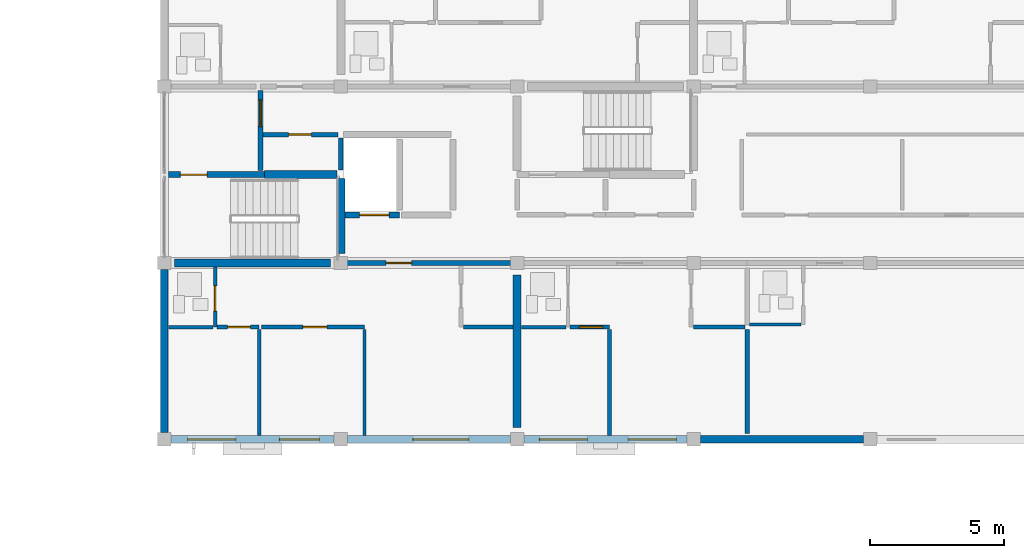
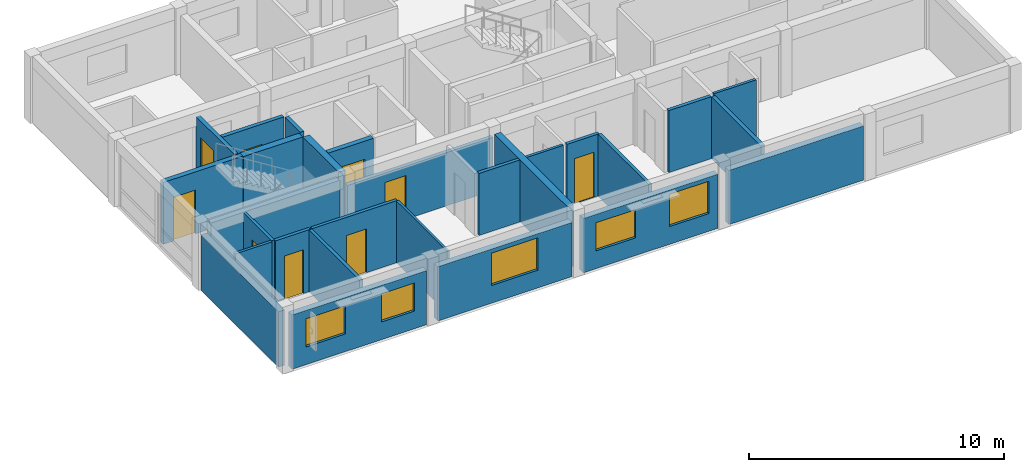
# One storey, part 34 of 49: 28 walls, 9 doors, 5 windows, 14 openings.
"""IFC4 building model written with IfcOpenShell, lengths in metres."""

import ifcopenshell
import ifcopenshell.guid

model = None  # the IFC model being written
_history = None  # IfcOwnerHistory: only IFC2X3 demands one
_inside = {}  # id of a spatial element -> (the spatial element, [elements in it])
_under = {}  # id of a project, library or spatial element -> (it, [spatial elements below it])
_declared = {}  # id of a project -> (the project, [libraries it declares])
_typed = {}  # id of a type object -> (the type object, [elements of that type])
_made_of = {}  # id of a material, layer set ... -> (it, [elements and type objects made of it])


def new_model(schema):
    """Start an empty IFC model of exactly this schema.

    Asked for "IFC4X3", IfcOpenShell would pick the latest addendum, in which some entities
    have other attributes; the version numbers below select the first issue.
    IFC2X3 requires an IfcOwnerHistory on every rooted entity: one is made here for all.
    """
    global model, _history
    if schema == "IFC4X3":
        model = ifcopenshell.file(schema_version=(4, 3, 0, 0))
    else:
        model = ifcopenshell.file(schema=schema)
    _inside.clear()
    _under.clear()
    _declared.clear()
    _typed.clear()
    _made_of.clear()
    _history = None
    if model.schema == "IFC2X3":
        org = make("IfcOrganization", Name="unknown")
        user = make(
            "IfcPersonAndOrganization",
            ThePerson=make("IfcPerson", FamilyName="unknown"),
            TheOrganization=org,
        )
        app = make(
            "IfcApplication",
            ApplicationDeveloper=org,
            Version="unknown",
            ApplicationFullName="unknown",
            ApplicationIdentifier="unknown",
        )
        _history = make(
            "IfcOwnerHistory",
            OwningUser=user,
            OwningApplication=app,
            ChangeAction="ADDED",
            CreationDate=0,
        )
    return model


def make(cls, **values):
    """One entity of the class cls with the attributes given. An attribute that is None is left unset."""
    return model.create_entity(
        cls, **{name: value for name, value in values.items() if value is not None}
    )


def rooted(cls, **values):
    """An entity with a GlobalId (a new one), such as an element, a storey or a relation."""
    return make(cls, GlobalId=ifcopenshell.guid.new(), OwnerHistory=_history, **values)


def si_unit(unit_type, name, prefix=None):
    """IfcSIUnit, for example si_unit("LENGTHUNIT", "METRE", prefix="MILLI")."""
    return make("IfcSIUnit", UnitType=unit_type, Prefix=prefix, Name=name)


def assignment(units):
    """IfcUnitAssignment: the units of a project."""
    return None if units is None else make("IfcUnitAssignment", Units=units)


def point(xyz):
    """IfcCartesianPoint."""
    return None if xyz is None else make("IfcCartesianPoint", Coordinates=xyz)


def direction(xyz):
    """IfcDirection."""
    return None if xyz is None else make("IfcDirection", DirectionRatios=xyz)


def frame(location, z_axis=None, x_axis=None):
    """IfcAxis2Placement3D, a coordinate frame: its origin and axes. An axis left out is left unset."""
    return make(
        "IfcAxis2Placement3D",
        Location=point(location),
        Axis=direction(z_axis),
        RefDirection=direction(x_axis),
    )


def frame_2d(location, x_axis=None):
    """IfcAxis2Placement2D, a coordinate frame in the plane: its origin and x axis."""
    return make(
        "IfcAxis2Placement2D", Location=point(location), RefDirection=direction(x_axis)
    )


def origin():
    """The frame at (0, 0, 0) with its axes left unset."""
    return frame((0.0, 0.0, 0.0))


def place(relative_to, where):
    """IfcLocalPlacement: puts the frame where relative to a parent placement (None: the world)."""
    return make(
        "IfcLocalPlacement", PlacementRelTo=relative_to, RelativePlacement=where
    )


def context(
    kind, dimensions, precision=None, world=None, true_north=None, identifier=None
):
    """IfcGeometricRepresentationContext, for example the 3D "Model" context."""
    return make(
        "IfcGeometricRepresentationContext",
        ContextIdentifier=identifier,
        ContextType=kind,
        CoordinateSpaceDimension=dimensions,
        Precision=precision,
        WorldCoordinateSystem=world,
        TrueNorth=true_north,
    )


def subcontext(parent, identifier, kind, view, scale=None):
    """IfcGeometricRepresentationSubContext, for example "Body" below "Model"."""
    return make(
        "IfcGeometricRepresentationSubContext",
        ContextIdentifier=identifier,
        ContextType=kind,
        ParentContext=parent,
        TargetScale=scale,
        TargetView=view,
    )


def project(units=None, contexts=None):
    """IfcProject with its units and contexts."""
    return rooted(
        "IfcProject",
        Name="project",
        RepresentationContexts=contexts,
        UnitsInContext=assignment(units),
    )


def spatial(cls, under=None, at=None, **own):
    """A site, building, storey or space (cls), placed at a placement, below another one or the project."""
    s = rooted(cls, ObjectPlacement=at, **own)
    if under is not None:
        _under.setdefault(under.id(), (under, []))[1].append(s)
    return s


def profile(cls, at=None, kind="AREA", **sizes):
    """A parametric profile (cls). Its sizes go by their IFC names, for example OverallWidth=200.0."""
    return make(cls, ProfileType=kind, Position=at, **sizes)


def rectangle(**sizes):
    """IfcRectangleProfileDef."""
    return profile("IfcRectangleProfileDef", **sizes)


def extrude(swept, where, along, depth):
    """IfcExtrudedAreaSolid: the profile swept, set in the frame where, extruded along a direction by depth."""
    return make(
        "IfcExtrudedAreaSolid",
        SweptArea=swept,
        Position=where,
        ExtrudedDirection=direction(along),
        Depth=depth,
    )


def shape(context_of_items, identifier, shape_type, items):
    """IfcShapeRepresentation: the items that make up one representation, for example the "Body"."""
    return make(
        "IfcShapeRepresentation",
        ContextOfItems=context_of_items,
        RepresentationIdentifier=identifier,
        RepresentationType=shape_type,
        Items=items,
    )


def material(Name=None, Category=None):
    """IfcMaterial."""
    return make("IfcMaterial", Name=Name, Category=Category)


def layer(
    of_material, thickness, ventilated=None, Name=None, Category=None, Priority=None
):
    """IfcMaterialLayer: one layer of a wall or slab, of a material (None: an air gap)."""
    return make(
        "IfcMaterialLayer",
        Material=of_material,
        LayerThickness=thickness,
        IsVentilated=ventilated,
        Name=Name,
        Category=Category,
        Priority=Priority,
    )


def layer_set(layers, Name=None):
    """IfcMaterialLayerSet."""
    return make("IfcMaterialLayerSet", MaterialLayers=layers, LayerSetName=Name)


def made_of(thing, what):
    """Note that an element or type object is made of a material, layer set ...; save() writes the relation."""
    if what is not None:
        _made_of.setdefault(what.id(), (what, []))[1].append(thing)
    return thing


def type_object(cls, material=None, **own):
    """A type object (cls), such as IfcWallType, which elements share."""
    return made_of(rooted(cls, **own), material)


def element(
    cls,
    number,
    at=None,
    inside=None,
    cuts=None,
    type_object=None,
    material=None,
    context=None,
    identifier="Body",
    shape_type=None,
    held_by="IfcProductDefinitionShape",
    body=None,
    shapes=None,
    **own,
):
    """One element of the class cls, such as IfcWall. Its Tag is "e" and its number.

    at: its placement. inside: the storey or other place that contains it. cuts: it is an
    opening in that element (IfcRelVoidsElement). A single representation is given by context,
    identifier, shape_type and body (its items); several are given by shapes. held_by: the class
    of the entity that holds the representations. save() writes the other relations.
    """
    e = rooted(cls, Tag="e%d" % number, ObjectPlacement=at, **own)
    if body is not None:
        shapes = [shape(context, identifier, shape_type, body)]
    if shapes is not None:
        e.Representation = make(held_by, Representations=shapes)
    if inside is not None:
        _inside.setdefault(inside.id(), (inside, []))[1].append(e)
    if cuts is not None:
        rooted(
            "IfcRelVoidsElement", RelatingBuildingElement=cuts, RelatedOpeningElement=e
        )
    if type_object is not None:
        _typed.setdefault(type_object.id(), (type_object, []))[1].append(e)
    return made_of(e, material)


def fill(opening, filler):
    """IfcRelFillsElement: the door or window that sits in an opening."""
    return rooted(
        "IfcRelFillsElement",
        RelatingOpeningElement=opening,
        RelatedBuildingElement=filler,
    )


def aggregate(whole, parts):
    """IfcRelAggregates: a whole, such as a stair, and the parts it consists of."""
    return rooted("IfcRelAggregates", RelatingObject=whole, RelatedObjects=parts)


def save(model, path):
    """Write the relations noted so far, then the file.

    IfcRelAggregates (storeys below a building ...), IfcRelContainedInSpatialStructure (elements
    in a storey), IfcRelDefinesByType, IfcRelAssociatesMaterial and IfcRelDeclares: one each for
    every whole, place, type object, material and project.
    """
    for whole, parts in _under.values():
        aggregate(whole, parts)
    for where, things in _inside.values():
        rooted(
            "IfcRelContainedInSpatialStructure",
            RelatedElements=things,
            RelatingStructure=where,
        )
    for kind, things in _typed.values():
        rooted("IfcRelDefinesByType", RelatedObjects=things, RelatingType=kind)
    for what, things in _made_of.values():
        rooted("IfcRelAssociatesMaterial", RelatedObjects=things, RelatingMaterial=what)
    for by, libraries in _declared.values():
        rooted("IfcRelDeclares", RelatingContext=by, RelatedDefinitions=libraries)
    model.write(path)


model = new_model("IFC4")

# Units and contexts
model_context = context("Model", 3, precision=1e-05, world=origin(), true_north=direction((0.0, 1.0)))
body_context = subcontext(model_context, "Body", "Model", "MODEL_VIEW")
ifc_project = project(units=[si_unit("LENGTHUNIT", "METRE"), si_unit("AREAUNIT", "SQUARE_METRE"), si_unit("VOLUMEUNIT", "CUBIC_METRE"), si_unit("PLANEANGLEUNIT", "RADIAN"), si_unit("MASSUNIT", "GRAM", prefix="KILO")], contexts=[model_context])

# Site, building, storey
site_placement = place(None, origin())
site = spatial("IfcSite", under=ifc_project, at=site_placement, CompositionType="ELEMENT")
building_placement = place(site_placement, origin())
building = spatial("IfcBuilding", under=site, at=building_placement, Name="Kernevlak Ridge Housing Community", CompositionType="ELEMENT")
storey_placement = place(building_placement, frame((0.0, 0.0, 30.800048828125)))
storey = spatial("IfcBuildingStorey", under=building, at=storey_placement, Name="L09", CompositionType="ELEMENT", Elevation=30.800048828125)

# Wall, openings, windows
ifc_material_1 = material(Name="Concrete block masonry M10", Category="masonry")
ifc_layer_1 = layer(ifc_material_1, 0.280029296875, Name="Concrete block masonry M10")
ifc_layer_set_1 = layer_set([ifc_layer_1], Name="Concrete block masonry M10")
wall_type_1 = type_object("IfcWallType", Name="EW-03", PredefinedType="STANDARD", material=ifc_layer_set_1)
wall_1_placement = place(storey_placement, frame((119.64990234375, 82.60009765625, 0.0), z_axis=(0.0, 0.0, 1.0), x_axis=(1.0, 0.0, 0.0)))
wall_1 = element("IfcWall", 1, at=wall_1_placement, inside=storey, type_object=wall_type_1, Name="Exterior wall EW-03 L09 435", PredefinedType="STANDARD", context=body_context, shape_type="SweptSolid", body=[
    extrude(rectangle(XDim=6.10009765625, YDim=0.280029296875, at=frame_2d((3.050048828125, 0.0))), origin(), (0.0, 0.0, 1.0), 2.599853515625),
])
opening_1_placement = place(wall_1_placement, frame((0.625, 0.0, 0.85009765625)))
opening_1 = element("IfcOpeningElement", 2, at=opening_1_placement, cuts=wall_1, Name="Opening WT-03", PredefinedType="OPENING", context=body_context, shape_type="SweptSolid", body=[
    extrude(rectangle(XDim=1.800048828125, YDim=1.35009765625, at=frame_2d((0.89990234375, 0.675048828125))), frame((0.0, 0.14990234375, 0.0), z_axis=(0.0, -1.0, 0.0), x_axis=(1.0, 0.0, 0.0)), (0.0, 0.0, 1.0), 0.300048828125),
])
opening_2_placement = place(wall_1_placement, frame((4.050048828125, 0.0, 0.85009765625)))
opening_2 = element("IfcOpeningElement", 3, at=opening_2_placement, cuts=wall_1, Name="Opening WT-02", PredefinedType="OPENING", context=body_context, shape_type="SweptSolid", body=[
    extrude(rectangle(XDim=1.5, YDim=1.35009765625, at=frame_2d((0.75, 0.675048828125))), frame((0.0, 0.14990234375, 0.0), z_axis=(0.0, -1.0, 0.0), x_axis=(1.0, 0.0, 0.0)), (0.0, 0.0, 1.0), 0.300048828125),
])
ifc_material_2 = material(Name="Aluminium EN AW-6060 anodised and laminated glass", Category="aluminium")
window_type_1 = type_object("IfcWindowType", Name="WT-02", PartitioningType="SINGLE_PANEL", PredefinedType="WINDOW", material=ifc_material_2)
window_1_placement = place(opening_2_placement, origin())
window_1 = element("IfcWindow", 4, at=window_1_placement, inside=storey, type_object=window_type_1, Name="Window WT-02 L09 336", OverallHeight=1.35009765625, OverallWidth=1.5, PartitioningType="SINGLE_PANEL", PredefinedType="WINDOW", context=body_context, shape_type="SweptSolid", body=[
    extrude(rectangle(XDim=1.5, YDim=1.35009765625, at=frame_2d((0.75, 0.675048828125))), frame((0.0, 0.030029296875, 0.0), z_axis=(0.0, -1.0, 0.0), x_axis=(1.0, 0.0, 0.0)), (0.0, 0.0, 1.0), 0.06005859375),
])
fill(opening_2, window_1)
window_type_2 = type_object("IfcWindowType", Name="WT-03", PartitioningType="SINGLE_PANEL", PredefinedType="WINDOW", material=ifc_material_2)
window_2_placement = place(opening_1_placement, origin())
window_2 = element("IfcWindow", 5, at=window_2_placement, inside=storey, type_object=window_type_2, Name="Window WT-03 L09 335", OverallHeight=1.35009765625, OverallWidth=1.800048828125, PartitioningType="SINGLE_PANEL", PredefinedType="WINDOW", context=body_context, shape_type="SweptSolid", body=[
    extrude(rectangle(XDim=1.800048828125, YDim=1.35009765625, at=frame_2d((0.89990234375, 0.675048828125))), frame((0.0, 0.030029296875, 0.0), z_axis=(0.0, -1.0, 0.0), x_axis=(1.0, 0.0, 0.0)), (0.0, 0.0, 1.0), 0.06005859375),
])
fill(opening_1, window_2)

# Wall, opening, window
wall_2_placement = place(storey_placement, frame((126.25, 82.60009765625, 0.0), z_axis=(0.0, 0.0, 1.0), x_axis=(1.0, 0.0, 0.0)))
wall_2 = element("IfcWall", 6, at=wall_2_placement, inside=storey, type_object=wall_type_1, Name="Exterior wall EW-03 L09 436", PredefinedType="STANDARD", context=body_context, shape_type="SweptSolid", body=[
    extrude(rectangle(XDim=6.10009765625, YDim=0.280029296875, at=frame_2d((3.050048828125, 0.0))), origin(), (0.0, 0.0, 1.0), 2.599853515625),
])
opening_3_placement = place(wall_2_placement, frame((2.446044921875, 0.0, 0.85009765625)))
opening_3 = element("IfcOpeningElement", 7, at=opening_3_placement, cuts=wall_2, Name="Opening WT-05", PredefinedType="OPENING", context=body_context, shape_type="SweptSolid", body=[
    extrude(rectangle(XDim=2.10009765625, YDim=1.550048828125, at=frame_2d((1.050048828125, 0.77490234375))), frame((0.0, 0.14990234375, 0.0), z_axis=(0.0, -1.0, 0.0), x_axis=(1.0, 0.0, 0.0)), (0.0, 0.0, 1.0), 0.300048828125),
])
window_type_3 = type_object("IfcWindowType", Name="WT-05", PartitioningType="SINGLE_PANEL", PredefinedType="WINDOW", material=ifc_material_2)
window_3_placement = place(opening_3_placement, origin())
window_3 = element("IfcWindow", 8, at=window_3_placement, inside=storey, type_object=window_type_3, Name="Window WT-05 L09 337", OverallHeight=1.550048828125, OverallWidth=2.10009765625, PartitioningType="SINGLE_PANEL", PredefinedType="WINDOW", context=body_context, shape_type="SweptSolid", body=[
    extrude(rectangle(XDim=2.10009765625, YDim=1.550048828125, at=frame_2d((1.050048828125, 0.77490234375))), frame((0.0, 0.030029296875, 0.0), z_axis=(0.0, -1.0, 0.0), x_axis=(1.0, 0.0, 0.0)), (0.0, 0.0, 1.0), 0.06005859375),
])
fill(opening_3, window_3)

# Wall, openings, windows
wall_3_placement = place(storey_placement, frame((132.85009765625, 82.60009765625, 0.0), z_axis=(0.0, 0.0, 1.0), x_axis=(1.0, 0.0, 0.0)))
wall_3 = element("IfcWall", 9, at=wall_3_placement, inside=storey, type_object=wall_type_1, Name="Exterior wall EW-03 L09 437", PredefinedType="STANDARD", context=body_context, shape_type="SweptSolid", body=[
    extrude(rectangle(XDim=6.099853515625, YDim=0.280029296875, at=frame_2d((3.0498046875, 0.0))), origin(), (0.0, 0.0, 1.0), 2.599853515625),
])
opening_4_placement = place(wall_3_placement, frame((0.574951171875, 0.0, 0.85009765625)))
opening_4 = element("IfcOpeningElement", 10, at=opening_4_placement, cuts=wall_3, Name="Opening WT-03", PredefinedType="OPENING", context=body_context, shape_type="SweptSolid", body=[
    extrude(rectangle(XDim=1.800048828125, YDim=1.35009765625, at=frame_2d((0.89990234375, 0.675048828125))), frame((0.0, 0.14990234375, 0.0), z_axis=(0.0, -1.0, 0.0), x_axis=(1.0, 0.0, 0.0)), (0.0, 0.0, 1.0), 0.300048828125),
])
opening_5_placement = place(wall_3_placement, frame((3.89990234375, 0.0, 0.85009765625)))
opening_5 = element("IfcOpeningElement", 11, at=opening_5_placement, cuts=wall_3, Name="Opening WT-04", PredefinedType="OPENING", context=body_context, shape_type="SweptSolid", body=[
    extrude(rectangle(XDim=1.800048828125, YDim=1.550048828125, at=frame_2d((0.89990234375, 0.77490234375))), frame((0.0, 0.14990234375, 0.0), z_axis=(0.0, -1.0, 0.0), x_axis=(1.0, 0.0, 0.0)), (0.0, 0.0, 1.0), 0.300048828125),
])
window_4_placement = place(opening_4_placement, origin())
window_4 = element("IfcWindow", 12, at=window_4_placement, inside=storey, type_object=window_type_2, Name="Window WT-03 L09 338", OverallHeight=1.35009765625, OverallWidth=1.800048828125, PartitioningType="SINGLE_PANEL", PredefinedType="WINDOW", context=body_context, shape_type="SweptSolid", body=[
    extrude(rectangle(XDim=1.800048828125, YDim=1.35009765625, at=frame_2d((0.89990234375, 0.675048828125))), frame((0.0, 0.030029296875, 0.0), z_axis=(0.0, -1.0, 0.0), x_axis=(1.0, 0.0, 0.0)), (0.0, 0.0, 1.0), 0.06005859375),
])
fill(opening_4, window_4)
window_type_4 = type_object("IfcWindowType", Name="WT-04", PartitioningType="SINGLE_PANEL", PredefinedType="WINDOW", material=ifc_material_2)
window_5_placement = place(opening_5_placement, origin())
window_5 = element("IfcWindow", 13, at=window_5_placement, inside=storey, type_object=window_type_4, Name="Window WT-04 L09 339", OverallHeight=1.550048828125, OverallWidth=1.800048828125, PartitioningType="SINGLE_PANEL", PredefinedType="WINDOW", context=body_context, shape_type="SweptSolid", body=[
    extrude(rectangle(XDim=1.800048828125, YDim=1.550048828125, at=frame_2d((0.89990234375, 0.77490234375))), frame((0.0, 0.030029296875, 0.0), z_axis=(0.0, -1.0, 0.0), x_axis=(1.0, 0.0, 0.0)), (0.0, 0.0, 1.0), 0.06005859375),
])
fill(opening_5, window_5)

# Walls
wall_4_placement = place(storey_placement, frame((139.449951171875, 82.60009765625, 0.0), z_axis=(0.0, 0.0, 1.0), x_axis=(1.0, 0.0, 0.0)))
element("IfcWall", 14, at=wall_4_placement, inside=storey, type_object=wall_type_1, Name="Exterior wall EW-03 L09 438", PredefinedType="STANDARD", context=body_context, shape_type="SweptSolid", body=[
    extrude(rectangle(XDim=6.10009765625, YDim=0.280029296875, at=frame_2d((3.050048828125, 0.0))), origin(), (0.0, 0.0, 1.0), 2.599853515625),
])
wall_5_placement = place(storey_placement, frame((119.39990234375, 82.85009765625, 0.0), z_axis=(0.0, 0.0, 1.0), x_axis=(0.0, 1.0, 0.0)))
element("IfcWall", 15, at=wall_5_placement, inside=storey, type_object=wall_type_1, Name="Exterior wall EW-03 L09 447", PredefinedType="STANDARD", context=body_context, shape_type="SweptSolid", body=[
    extrude(rectangle(XDim=6.099853515625, YDim=0.280029296875, at=frame_2d((3.0498046875, 0.0))), origin(), (0.0, 0.0, 1.0), 2.64990234375),
])

# Wall, opening, door
ifc_material_3 = material(Name="Concrete C35/45", Category="concrete")
ifc_layer_2 = layer(ifc_material_3, 0.22509765625, Name="Concrete C35/45")
ifc_layer_set_2 = layer_set([ifc_layer_2], Name="Concrete C35/45")
wall_type_2 = type_object("IfcWallType", Name="PW-01", PredefinedType="STANDARD", material=ifc_layer_set_2)
wall_6_placement = place(storey_placement, frame((119.550048828125, 92.5, 0.0), z_axis=(0.0, 0.0, 1.0), x_axis=(1.0, 0.0, 0.0)))
wall_6 = element("IfcWall", 16, at=wall_6_placement, inside=storey, type_object=wall_type_2, Name="Interior wall PW-01 WAL-INT-L09-1702", PredefinedType="STANDARD", context=body_context, shape_type="SweptSolid", body=[
    extrude(rectangle(XDim=3.599853515625, YDim=0.22509765625, at=frame_2d((1.7998046875, 0.0))), origin(), (0.0, 0.0, 1.0), 2.969970703125),
])
opening_6_placement = place(wall_6_placement, frame((0.449951171875, 0.0, 0.0)))
opening_6 = element("IfcOpeningElement", 17, at=opening_6_placement, cuts=wall_6, Name="Opening D863", PredefinedType="OPENING", context=body_context, shape_type="SweptSolid", body=[
    extrude(rectangle(XDim=1.0, YDim=2.10009765625, at=frame_2d((0.5, 1.050048828125))), frame((0.0, 0.12255859375, 0.0), z_axis=(0.0, -1.0, 0.0), x_axis=(1.0, 0.0, 0.0)), (0.0, 0.0, 1.0), 0.2451171875),
])
ifc_material_4 = material(Name="Fire-rated sheet steel leaf", Category="steel")
door_type_1 = type_object("IfcDoorType", Name="DT-05", OperationType="NOTDEFINED", PredefinedType="DOOR", material=ifc_material_4)
door_1_placement = place(opening_6_placement, origin())
door_1 = element("IfcDoor", 18, at=door_1_placement, inside=storey, type_object=door_type_1, Name="Block B Stair 1 fire door D863", OperationType="SINGLE_SWING_LEFT", OverallHeight=2.10009765625, OverallWidth=1.0, PredefinedType="DOOR", context=body_context, shape_type="SweptSolid", body=[
    extrude(rectangle(XDim=1.0, YDim=2.10009765625, at=frame_2d((0.5, 1.050048828125))), frame((0.0, 0.02490234375, 0.0), z_axis=(0.0, -1.0, 0.0), x_axis=(1.0, 0.0, 0.0)), (0.0, 0.0, 1.0), 0.050048828125),
])
fill(opening_6, door_1)

wall_7_placement = place(storey_placement, frame((126.159912109375, 91.0, 0.0), z_axis=(0.0, 0.0, 1.0), x_axis=(1.0, 0.0, 0.0)))
wall_7 = element("IfcWall", 19, at=wall_7_placement, inside=storey, type_object=wall_type_2, Name="Interior wall PW-01 WAL-INT-L09-1706", PredefinedType="STANDARD", context=body_context, shape_type="SweptSolid", body=[
    extrude(rectangle(XDim=2.0400390625, YDim=0.22509765625, at=frame_2d((1.02001953125, 0.0))), origin(), (0.0, 0.0, 1.0), 2.969970703125),
])
opening_7_placement = place(wall_7_placement, frame((0.550048828125, 0.0, 0.0)))
opening_7 = element("IfcOpeningElement", 20, at=opening_7_placement, cuts=wall_7, Name="Opening LD48", PredefinedType="OPENING", context=body_context, shape_type="SweptSolid", body=[
    extrude(rectangle(XDim=1.10009765625, YDim=2.10009765625, at=frame_2d((0.550048828125, 1.050048828125))), frame((0.0, 0.12255859375, 0.0), z_axis=(0.0, -1.0, 0.0), x_axis=(1.0, 0.0, 0.0)), (0.0, 0.0, 1.0), 0.2451171875),
])
ifc_material_5 = material(Name="Stainless steel EN 1.4401", Category="steel")
door_type_2 = type_object("IfcDoorType", Name="DT-LD1", OperationType="DOUBLE_DOOR_SLIDING", PredefinedType="DOOR", material=ifc_material_5)
door_2_placement = place(opening_7_placement, origin())
door_2 = element("IfcDoor", 21, at=door_2_placement, inside=storey, type_object=door_type_2, Name="Lift LF-B1 landing door LD48", OperationType="DOUBLE_DOOR_SLIDING", OverallHeight=2.10009765625, OverallWidth=1.10009765625, PredefinedType="DOOR", context=body_context, shape_type="SweptSolid", body=[
    extrude(rectangle(XDim=1.10009765625, YDim=2.10009765625, at=frame_2d((0.550048828125, 1.050048828125))), frame((0.0, 0.02490234375, 0.0), z_axis=(0.0, -1.0, 0.0), x_axis=(1.0, 0.0, 0.0)), (0.0, 0.0, 1.0), 0.050048828125),
])
fill(opening_7, door_2)

ifc_layer_3 = layer(ifc_material_1, 0.175048828125, Name="Concrete block masonry M10")
ifc_layer_set_3 = layer_set([ifc_layer_3], Name="Concrete block masonry M10")
wall_type_3 = type_object("IfcWallType", Name="PW-02", PredefinedType="PARTITIONING", material=ifc_layer_set_3)
wall_8_placement = place(storey_placement, frame((123.0, 92.64990234375, 0.0), z_axis=(0.0, 0.0, 1.0), x_axis=(0.0, 1.0, 0.0)))
wall_8 = element("IfcWall", 22, at=wall_8_placement, inside=storey, type_object=wall_type_3, Name="Interior wall PW-02 WAL-INT-L09-1703", PredefinedType="PARTITIONING", context=body_context, shape_type="SweptSolid", body=[
    extrude(rectangle(XDim=3.0, YDim=0.175048828125, at=frame_2d((1.5, 0.0))), origin(), (0.0, 0.0, 1.0), 2.969970703125),
])
opening_8_placement = place(wall_8_placement, frame((1.64990234375, 0.0, 0.0)))
opening_8 = element("IfcOpeningElement", 23, at=opening_8_placement, cuts=wall_8, Name="Opening D864", PredefinedType="OPENING", context=body_context, shape_type="SweptSolid", body=[
    extrude(rectangle(XDim=1.0, YDim=2.159912109375, at=frame_2d((0.5, 1.080078125))), frame((0.0, 0.097412109375, 0.0), z_axis=(0.0, -1.0, 0.0), x_axis=(1.0, 0.0, 0.0)), (0.0, 0.0, 1.0), 0.195068359375),
])
door_type_3 = type_object("IfcDoorType", Name="DT-15", OperationType="NOTDEFINED", PredefinedType="DOOR", material=ifc_material_4)
door_3_placement = place(opening_8_placement, origin())
door_3 = element("IfcDoor", 24, at=door_3_placement, inside=storey, type_object=door_type_3, Name="Block B Firefighting lobby 1 door D864", OperationType="SINGLE_SWING_RIGHT", OverallHeight=2.159912109375, OverallWidth=1.0, PredefinedType="DOOR", context=body_context, shape_type="SweptSolid", body=[
    extrude(rectangle(XDim=1.0, YDim=2.159912109375, at=frame_2d((0.5, 1.080078125))), frame((0.0, 0.02490234375, 0.0), z_axis=(0.0, -1.0, 0.0), x_axis=(1.0, 0.0, 0.0)), (0.0, 0.0, 1.0), 0.050048828125),
])
fill(opening_8, door_3)

wall_9_placement = place(storey_placement, frame((123.10009765625, 94.0, 0.0), z_axis=(0.0, 0.0, 1.0), x_axis=(1.0, 0.0, 0.0)))
wall_9 = element("IfcWall", 25, at=wall_9_placement, inside=storey, type_object=wall_type_3, Name="Interior wall PW-02 WAL-INT-L09-1704", PredefinedType="PARTITIONING", context=body_context, shape_type="SweptSolid", body=[
    extrude(rectangle(XDim=2.7998046875, YDim=0.175048828125, at=frame_2d((1.39990234375, 0.0))), origin(), (0.0, 0.0, 1.0), 2.969970703125),
])
opening_9_placement = place(wall_9_placement, frame((0.949951171875, 0.0, 0.0)))
opening_9 = element("IfcOpeningElement", 26, at=opening_9_placement, cuts=wall_9, Name="Opening D865", PredefinedType="OPENING", context=body_context, shape_type="SweptSolid", body=[
    extrude(rectangle(XDim=0.85009765625, YDim=2.0, at=frame_2d((0.425048828125, 1.0))), frame((0.0, 0.097412109375, 0.0), z_axis=(0.0, -1.0, 0.0), x_axis=(1.0, 0.0, 0.0)), (0.0, 0.0, 1.0), 0.195068359375),
])
door_type_4 = type_object("IfcDoorType", Name="DT-07", OperationType="NOTDEFINED", PredefinedType="DOOR", material=ifc_material_4)
door_4_placement = place(opening_9_placement, origin())
door_4 = element("IfcDoor", 27, at=door_4_placement, inside=storey, type_object=door_type_4, Name="Block B Riser shaft door D865", OperationType="SINGLE_SWING_LEFT", OverallHeight=2.0, OverallWidth=0.85009765625, PredefinedType="DOOR", context=body_context, shape_type="SweptSolid", body=[
    extrude(rectangle(XDim=0.85009765625, YDim=2.0, at=frame_2d((0.425048828125, 1.0))), frame((0.0, 0.02490234375, 0.0), z_axis=(0.0, -1.0, 0.0), x_axis=(1.0, 0.0, 0.0)), (0.0, 0.0, 1.0), 0.050048828125),
])
fill(opening_9, door_4)

# Wall
wall_10_placement = place(storey_placement, frame((126.0, 92.679931640625, 0.0), z_axis=(0.0, 0.0, 1.0), x_axis=(0.0, 1.0, 0.0)))
element("IfcWall", 28, at=wall_10_placement, inside=storey, type_object=wall_type_3, Name="Interior wall PW-02 WAL-INT-L09-1705", PredefinedType="PARTITIONING", context=body_context, shape_type="SweptSolid", body=[
    extrude(rectangle(XDim=1.190185546875, YDim=0.175048828125, at=frame_2d((0.59521484375, 0.0))), origin(), (0.0, 0.0, 1.0), 2.969970703125),
])

# Wall, opening, door
wall_11_placement = place(storey_placement, frame((126.0, 89.199951171875, 0.0), z_axis=(0.0, 0.0, 1.0), x_axis=(1.0, 0.0, 0.0)))
wall_11 = element("IfcWall", 29, at=wall_11_placement, inside=storey, type_object=wall_type_3, Name="Interior wall PW-02 WAL-INT-L09-1723", PredefinedType="PARTITIONING", context=body_context, shape_type="SweptSolid", body=[
    extrude(rectangle(XDim=6.60009765625, YDim=0.175048828125, at=frame_2d((3.300048828125, 0.0))), origin(), (0.0, 0.0, 1.0), 2.550048828125),
])
opening_10_placement = place(wall_11_placement, frame((1.699951171875, 0.0, 0.0)))
opening_10 = element("IfcOpeningElement", 30, at=opening_10_placement, cuts=wall_11, Name="Opening D871", PredefinedType="OPENING", context=body_context, shape_type="SweptSolid", body=[
    extrude(rectangle(XDim=0.949951171875, YDim=2.10009765625, at=frame_2d((0.47509765625, 1.050048828125))), frame((0.0, 0.097412109375, 0.0), z_axis=(0.0, -1.0, 0.0), x_axis=(1.0, 0.0, 0.0)), (0.0, 0.0, 1.0), 0.195068359375),
])
ifc_material_6 = material(Name="Hardwood timber solid-core fire leaf", Category="wood")
door_type_5 = type_object("IfcDoorType", Name="DT-01", OperationType="NOTDEFINED", PredefinedType="DOOR", material=ifc_material_6)
door_5_placement = place(opening_10_placement, origin())
door_5 = element("IfcDoor", 31, at=door_5_placement, inside=storey, type_object=door_type_5, Name="Flat B0911 entrance fire door D871", OperationType="SINGLE_SWING_LEFT", OverallHeight=2.10009765625, OverallWidth=0.949951171875, PredefinedType="DOOR", context=body_context, shape_type="SweptSolid", body=[
    extrude(rectangle(XDim=0.949951171875, YDim=2.10009765625, at=frame_2d((0.47509765625, 1.050048828125))), frame((0.0, 0.02490234375, 0.0), z_axis=(0.0, -1.0, 0.0), x_axis=(1.0, 0.0, 0.0)), (0.0, 0.0, 1.0), 0.050048828125),
])
fill(opening_10, door_5)

# Wall
wall_12_placement = place(storey_placement, frame((141.199951171875, 86.71240234375, 0.0), z_axis=(0.0, 0.0, 1.0), x_axis=(0.0, -1.0, 0.0)))
element("IfcWall", 32, at=wall_12_placement, inside=storey, type_object=wall_type_3, Name="Interior wall PW-02 WAL-INT-L09-1739-S2", PredefinedType="PARTITIONING", context=body_context, shape_type="SweptSolid", body=[
    extrude(rectangle(XDim=3.88232421875, YDim=0.175048828125, at=frame_2d((1.941162109375, 0.0))), origin(), (0.0, 0.0, 1.0), 2.969970703125),
])

# Wall, opening, door
ifc_layer_4 = layer(ifc_material_1, 0.14501953125, Name="Concrete block masonry M10")
ifc_layer_set_4 = layer_set([ifc_layer_4], Name="Concrete block masonry M10")
wall_type_4 = type_object("IfcWallType", Name="PW-03", PredefinedType="PARTITIONING", material=ifc_layer_set_4)
wall_13_placement = place(storey_placement, frame((121.37255859375, 86.800048828125, 0.0), z_axis=(0.0, 0.0, 1.0), x_axis=(1.0, 0.0, 0.0)))
wall_13 = element("IfcWall", 33, at=wall_13_placement, inside=storey, type_object=wall_type_4, Name="Interior wall PW-03 WAL-INT-L09-1728", PredefinedType="PARTITIONING", context=body_context, shape_type="SweptSolid", body=[
    extrude(rectangle(XDim=1.577392578125, YDim=0.14501953125, at=frame_2d((0.78857421875, 0.0))), origin(), (0.0, 0.0, 1.0), 2.969970703125),
])
opening_11_placement = place(wall_13_placement, frame((0.39990234375, 0.0, 0.0)))
opening_11 = element("IfcOpeningElement", 34, at=opening_11_placement, cuts=wall_13, Name="Opening D874", PredefinedType="OPENING", context=body_context, shape_type="SweptSolid", body=[
    extrude(rectangle(XDim=0.85009765625, YDim=2.10009765625, at=frame_2d((0.425048828125, 1.050048828125))), frame((0.0, 0.08251953125, 0.0), z_axis=(0.0, -1.0, 0.0), x_axis=(1.0, 0.0, 0.0)), (0.0, 0.0, 1.0), 0.1650390625),
])
ifc_material_7 = material(Name="Hardwood timber leaf", Category="wood")
door_type_6 = type_object("IfcDoorType", Name="DT-03", OperationType="NOTDEFINED", PredefinedType="DOOR", material=ifc_material_7)
door_6_placement = place(opening_11_placement, origin())
door_6 = element("IfcDoor", 35, at=door_6_placement, inside=storey, type_object=door_type_6, Name="Flat B0911 bedroom door D874", OperationType="SINGLE_SWING_RIGHT", OverallHeight=2.10009765625, OverallWidth=0.85009765625, PredefinedType="DOOR", context=body_context, shape_type="SweptSolid", body=[
    extrude(rectangle(XDim=0.85009765625, YDim=2.10009765625, at=frame_2d((0.425048828125, 1.050048828125))), frame((0.0, 0.02490234375, 0.0), z_axis=(0.0, -1.0, 0.0), x_axis=(1.0, 0.0, 0.0)), (0.0, 0.0, 1.0), 0.050048828125),
])
fill(opening_11, door_6)

# Wall
wall_14_placement = place(storey_placement, frame((122.949951171875, 86.717529296875, 0.0), z_axis=(0.0, 0.0, 1.0), x_axis=(0.0, -1.0, 0.0)))
element("IfcWall", 36, at=wall_14_placement, inside=storey, type_object=wall_type_4, Name="Interior wall PW-03 WAL-INT-L09-1729", PredefinedType="PARTITIONING", context=body_context, shape_type="SweptSolid", body=[
    extrude(rectangle(XDim=3.967529296875, YDim=0.14501953125, at=frame_2d((1.98388671875, 0.0))), origin(), (0.0, 0.0, 1.0), 2.969970703125),
])

# Wall, opening, door
wall_15_placement = place(storey_placement, frame((123.032470703125, 86.800048828125, 0.0), z_axis=(0.0, 0.0, 1.0), x_axis=(1.0, 0.0, 0.0)))
wall_15 = element("IfcWall", 37, at=wall_15_placement, inside=storey, type_object=wall_type_4, Name="Interior wall PW-03 WAL-INT-L09-1730", PredefinedType="PARTITIONING", context=body_context, shape_type="SweptSolid", body=[
    extrude(rectangle(XDim=3.859619140625, YDim=0.14501953125, at=frame_2d((1.9296875, 0.0))), origin(), (0.0, 0.0, 1.0), 2.969970703125),
])
opening_12_placement = place(wall_15_placement, frame((1.5458984375, 0.0, 0.0)))
opening_12 = element("IfcOpeningElement", 38, at=opening_12_placement, cuts=wall_15, Name="Opening D875", PredefinedType="OPENING", context=body_context, shape_type="SweptSolid", body=[
    extrude(rectangle(XDim=0.89990234375, YDim=2.10009765625, at=frame_2d((0.449951171875, 1.050048828125))), frame((0.0, 0.08251953125, 0.0), z_axis=(0.0, -1.0, 0.0), x_axis=(1.0, 0.0, 0.0)), (0.0, 0.0, 1.0), 0.1650390625),
])
door_type_7 = type_object("IfcDoorType", Name="DT-21", OperationType="NOTDEFINED", PredefinedType="DOOR", material=ifc_material_7)
door_7_placement = place(opening_12_placement, origin())
door_7 = element("IfcDoor", 39, at=door_7_placement, inside=storey, type_object=door_type_7, Name="Flat B0911 bedroom door D875", OperationType="SINGLE_SWING_LEFT", OverallHeight=2.10009765625, OverallWidth=0.89990234375, PredefinedType="DOOR", context=body_context, shape_type="SweptSolid", body=[
    extrude(rectangle(XDim=0.89990234375, YDim=2.10009765625, at=frame_2d((0.449951171875, 1.050048828125))), frame((0.0, 0.02490234375, 0.0), z_axis=(0.0, -1.0, 0.0), x_axis=(1.0, 0.0, 0.0)), (0.0, 0.0, 1.0), 0.050048828125),
])
fill(opening_12, door_7)

wall_16_placement = place(storey_placement, frame((134.572509765625, 86.800048828125, 0.0), z_axis=(0.0, 0.0, 1.0), x_axis=(1.0, 0.0, 0.0)))
wall_16 = element("IfcWall", 40, at=wall_16_placement, inside=storey, type_object=wall_type_4, Name="Interior wall PW-03 WAL-INT-L09-1737", PredefinedType="PARTITIONING", context=body_context, shape_type="SweptSolid", body=[
    extrude(rectangle(XDim=1.4775390625, YDim=0.14501953125, at=frame_2d((0.73876953125, 0.0))), origin(), (0.0, 0.0, 1.0), 2.969970703125),
])
opening_13_placement = place(wall_16_placement, frame((0.35009765625, 0.0, 0.0)))
opening_13 = element("IfcOpeningElement", 41, at=opening_13_placement, cuts=wall_16, Name="Opening D879", PredefinedType="OPENING", context=body_context, shape_type="SweptSolid", body=[
    extrude(rectangle(XDim=0.8798828125, YDim=2.159912109375, at=frame_2d((0.43994140625, 1.080078125))), frame((0.0, 0.08251953125, 0.0), z_axis=(0.0, -1.0, 0.0), x_axis=(1.0, 0.0, 0.0)), (0.0, 0.0, 1.0), 0.1650390625),
])
door_type_8 = type_object("IfcDoorType", Name="DT-26", OperationType="NOTDEFINED", PredefinedType="DOOR", material=ifc_material_7)
door_8_placement = place(opening_13_placement, origin())
door_8 = element("IfcDoor", 42, at=door_8_placement, inside=storey, type_object=door_type_8, Name="Flat B0912 bedroom door D879", OperationType="SINGLE_SWING_LEFT", OverallHeight=2.159912109375, OverallWidth=0.8798828125, PredefinedType="DOOR", context=body_context, shape_type="SweptSolid", body=[
    extrude(rectangle(XDim=0.8798828125, YDim=2.159912109375, at=frame_2d((0.43994140625, 1.080078125))), frame((0.0, 0.02490234375, 0.0), z_axis=(0.0, -1.0, 0.0), x_axis=(1.0, 0.0, 0.0)), (0.0, 0.0, 1.0), 0.050048828125),
])
fill(opening_13, door_8)

# Wall
wall_17_placement = place(storey_placement, frame((136.050048828125, 86.717529296875, 0.0), z_axis=(0.0, 0.0, 1.0), x_axis=(0.0, -1.0, 0.0)))
element("IfcWall", 43, at=wall_17_placement, inside=storey, type_object=wall_type_4, Name="Interior wall PW-03 WAL-INT-L09-1738", PredefinedType="PARTITIONING", context=body_context, shape_type="SweptSolid", body=[
    extrude(rectangle(XDim=3.967529296875, YDim=0.14501953125, at=frame_2d((1.98388671875, 0.0))), origin(), (0.0, 0.0, 1.0), 2.969970703125),
])

# Wall, opening, door
ifc_material_8 = material(Name="Gypsum plasterboard EN 520", Category="gypsum")
ifc_layer_5 = layer(ifc_material_8, 0.125, Name="Gypsum plasterboard EN 520")
ifc_layer_set_5 = layer_set([ifc_layer_5], Name="Gypsum plasterboard EN 520")
wall_type_5 = type_object("IfcWallType", Name="PW-04", PredefinedType="PARTITIONING", material=ifc_layer_set_5)
wall_18_placement = place(storey_placement, frame((121.300048828125, 89.0400390625, 0.0), z_axis=(0.0, 0.0, 1.0), x_axis=(0.0, -1.0, 0.0)))
wall_18 = element("IfcWall", 44, at=wall_18_placement, inside=storey, type_object=wall_type_5, Name="Interior wall PW-04 WAL-INT-L09-1724", PredefinedType="PARTITIONING", context=body_context, shape_type="SweptSolid", body=[
    extrude(rectangle(XDim=2.239990234375, YDim=0.125, at=frame_2d((1.1201171875, 0.0))), origin(), (0.0, 0.0, 1.0), 2.969970703125),
])
opening_14_placement = place(wall_18_placement, frame((0.699951171875, 0.0, 0.0)))
opening_14 = element("IfcOpeningElement", 45, at=opening_14_placement, cuts=wall_18, Name="Opening D872", PredefinedType="OPENING", context=body_context, shape_type="SweptSolid", body=[
    extrude(rectangle(XDim=0.93994140625, YDim=2.080078125, at=frame_2d((0.469970703125, 1.0400390625))), frame((0.0, 0.072509765625, 0.0), z_axis=(0.0, -1.0, 0.0), x_axis=(1.0, 0.0, 0.0)), (0.0, 0.0, 1.0), 0.14501953125),
])
ifc_material_9 = material(Name="Hardwood timber moisture-resistant leaf", Category="wood")
door_type_9 = type_object("IfcDoorType", Name="DT-23", OperationType="NOTDEFINED", PredefinedType="DOOR", material=ifc_material_9)
door_9_placement = place(opening_14_placement, origin())
door_9 = element("IfcDoor", 46, at=door_9_placement, inside=storey, type_object=door_type_9, Name="Flat B0911 bathroom door D872", OperationType="SINGLE_SWING_RIGHT", OverallHeight=2.080078125, OverallWidth=0.93994140625, PredefinedType="DOOR", context=body_context, shape_type="SweptSolid", body=[
    extrude(rectangle(XDim=0.93994140625, YDim=2.080078125, at=frame_2d((0.469970703125, 1.0400390625))), frame((0.0, 0.02490234375, 0.0), z_axis=(0.0, -1.0, 0.0), x_axis=(1.0, 0.0, 0.0)), (0.0, 0.0, 1.0), 0.050048828125),
])
fill(opening_14, door_9)

# Walls
wall_19_placement = place(storey_placement, frame((119.550048828125, 86.800048828125, 0.0), z_axis=(0.0, 0.0, 1.0), x_axis=(1.0, 0.0, 0.0)))
element("IfcWall", 47, at=wall_19_placement, inside=storey, type_object=wall_type_5, Name="Interior wall PW-04 WAL-INT-L09-1725", PredefinedType="PARTITIONING", context=body_context, shape_type="SweptSolid", body=[
    extrude(rectangle(XDim=1.669921875, YDim=0.125, at=frame_2d((0.8349609375, 0.0))), origin(), (0.0, 0.0, 1.0), 2.969970703125),
])
wall_20_placement = place(storey_placement, frame((132.760009765625, 86.800048828125, 0.0), z_axis=(0.0, 0.0, 1.0), x_axis=(1.0, 0.0, 0.0)))
element("IfcWall", 48, at=wall_20_placement, inside=storey, type_object=wall_type_5, Name="Interior wall PW-04 WAL-INT-L09-1734", PredefinedType="PARTITIONING", context=body_context, shape_type="SweptSolid", body=[
    extrude(rectangle(XDim=1.659912109375, YDim=0.125, at=frame_2d((0.830078125, 0.0))), origin(), (0.0, 0.0, 1.0), 2.969970703125),
])
wall_21_placement = place(storey_placement, frame((141.297607421875, 86.89990234375, 0.0), z_axis=(0.0, 0.0, 1.0), x_axis=(1.0, 0.0, 0.0)))
element("IfcWall", 49, at=wall_21_placement, inside=storey, type_object=wall_type_5, Name="Interior wall PW-04 WAL-INT-L09-1742", PredefinedType="PARTITIONING", context=body_context, shape_type="SweptSolid", body=[
    extrude(rectangle(XDim=1.92236328125, YDim=0.125, at=frame_2d((0.961181640625, 0.0))), origin(), (0.0, 0.0, 1.0), 2.969970703125),
])
ifc_layer_6 = layer(ifc_material_8, 0.155029296875, Name="Gypsum plasterboard EN 520")
ifc_layer_set_6 = layer_set([ifc_layer_6], Name="Gypsum plasterboard EN 520")
wall_type_6 = type_object("IfcWallType", Name="PW-05", PredefinedType="PARTITIONING", material=ifc_layer_set_6)
wall_22_placement = place(storey_placement, frame((130.58740234375, 86.800048828125, 0.0), z_axis=(0.0, 0.0, 1.0), x_axis=(1.0, 0.0, 0.0)))
element("IfcWall", 50, at=wall_22_placement, inside=storey, type_object=wall_type_6, Name="Interior wall PW-05 WAL-INT-L09-1727", PredefinedType="PARTITIONING", context=body_context, shape_type="SweptSolid", body=[
    extrude(rectangle(XDim=1.8525390625, YDim=0.155029296875, at=frame_2d((0.92626953125, 0.0))), origin(), (0.0, 0.0, 1.0), 2.969970703125),
])
wall_23_placement = place(storey_placement, frame((139.1875, 86.800048828125, 0.0), z_axis=(0.0, 0.0, 1.0), x_axis=(1.0, 0.0, 0.0)))
element("IfcWall", 51, at=wall_23_placement, inside=storey, type_object=wall_type_6, Name="Interior wall PW-05 WAL-INT-L09-1736", PredefinedType="PARTITIONING", context=body_context, shape_type="SweptSolid", body=[
    extrude(rectangle(XDim=1.9326171875, YDim=0.155029296875, at=frame_2d((0.96630859375, 0.0))), origin(), (0.0, 0.0, 1.0), 2.969970703125),
])
ifc_layer_7 = layer(ifc_material_8, 0.10498046875, Name="Gypsum plasterboard EN 520")
ifc_layer_set_7 = layer_set([ifc_layer_7], Name="Gypsum plasterboard EN 520")
wall_type_7 = type_object("IfcWallType", Name="PW-06", PredefinedType="PARTITIONING", material=ifc_layer_set_7)
wall_24_placement = place(storey_placement, frame((126.89208984375, 86.717529296875, 0.0), z_axis=(0.0, 0.0, 1.0), x_axis=(0.0, -1.0, 0.0)))
element("IfcWall", 52, at=wall_24_placement, inside=storey, type_object=wall_type_7, Name="Interior wall PW-06 WAL-INT-L09-1731", PredefinedType="PARTITIONING", context=body_context, shape_type="SweptSolid", body=[
    extrude(rectangle(XDim=3.967529296875, YDim=0.10498046875, at=frame_2d((1.98388671875, 0.0))), origin(), (0.0, 0.0, 1.0), 2.969970703125),
])
ifc_material_10 = material(Name="Concrete C40/50", Category="concrete")
ifc_layer_8 = layer(ifc_material_10, 0.300048828125, Name="Concrete C40/50")
ifc_layer_set_8 = layer_set([ifc_layer_8], Name="Concrete C40/50")
wall_type_8 = type_object("IfcWallType", Name="SW-02", PredefinedType="SHEAR", material=ifc_layer_set_8)
wall_25_placement = place(storey_placement, frame((119.780029296875, 89.199951171875, 0.0), z_axis=(0.0, 0.0, 1.0), x_axis=(1.0, 0.0, 0.0)))
element("IfcWall", 53, at=wall_25_placement, inside=storey, type_object=wall_type_8, Name="Shear wall SW-02 Block B L09 301", PredefinedType="SHEAR", context=body_context, shape_type="SweptSolid", body=[
    extrude(rectangle(XDim=5.840087890625, YDim=0.300048828125, at=frame_2d((2.919921875, 0.0))), origin(), (0.0, 0.0, 1.0), 2.969970703125),
])
wall_26_placement = place(storey_placement, frame((123.14990234375, 92.5, 0.0), z_axis=(0.0, 0.0, 1.0), x_axis=(1.0, 0.0, 0.0)))
element("IfcWall", 54, at=wall_26_placement, inside=storey, type_object=wall_type_8, Name="Shear wall SW-02 Block B L09 302", PredefinedType="SHEAR", context=body_context, shape_type="SweptSolid", body=[
    extrude(rectangle(XDim=2.7001953125, YDim=0.300048828125, at=frame_2d((1.35009765625, 0.0))), origin(), (0.0, 0.0, 1.0), 2.969970703125),
])
wall_27_placement = place(storey_placement, frame((126.0, 89.550048828125, 0.0), z_axis=(0.0, 0.0, 1.0), x_axis=(0.0, 1.0, 0.0)))
element("IfcWall", 55, at=wall_27_placement, inside=storey, type_object=wall_type_8, Name="Shear wall SW-02 Block B L09 303", PredefinedType="SHEAR", context=body_context, shape_type="SweptSolid", body=[
    extrude(rectangle(XDim=2.800048828125, YDim=0.300048828125, at=frame_2d((1.39990234375, 0.0))), origin(), (0.0, 0.0, 1.0), 2.969970703125),
])
wall_28_placement = place(storey_placement, frame((132.60009765625, 83.050048828125, 0.0), z_axis=(0.0, 0.0, 1.0), x_axis=(0.0, 1.0, 0.0)))
element("IfcWall", 56, at=wall_28_placement, inside=storey, type_object=wall_type_8, Name="Shear wall SW-02 Block B L09 308", PredefinedType="SHEAR", context=body_context, shape_type="SweptSolid", body=[
    extrude(rectangle(XDim=5.699951171875, YDim=0.300048828125, at=frame_2d((2.85009765625, 0.0))), origin(), (0.0, 0.0, 1.0), 2.969970703125),
])

save(model, "model.ifc")
